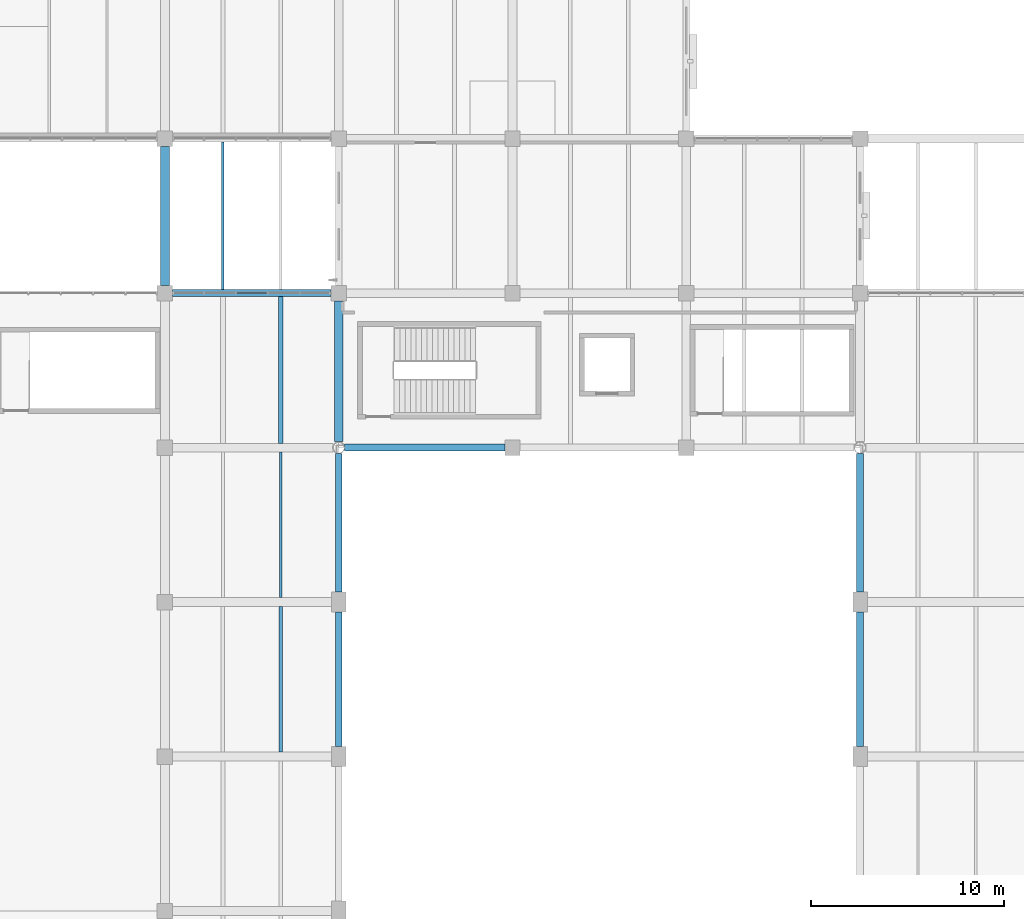
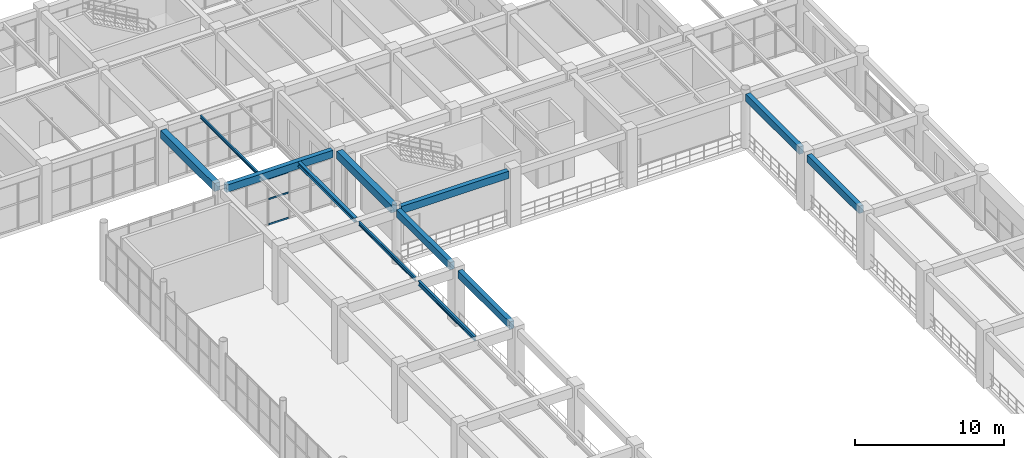
# One storey, part 76 of 178: 12 beams, 3 members, 1 element without a shape of its own.
"""IFC4 building model written with IfcOpenShell, lengths in metres."""

from ifc_helpers import new_model, si_unit, derived_unit, direction, frame, origin, origin_2d, place, context, subcontext, project, spatial, rectangle, hollow_rectangle, i_section, extrude, material, material_profile, profile_set, type_object, element, aggregate, save


model = new_model("IFC4")

# Units and contexts
model_context = context("Model", 3, precision=1e-05, world=origin(), true_north=direction((0.0, 1.0)))
body_context = subcontext(model_context, "Body", "Model", "MODEL_VIEW")
ifc_project = project(units=[si_unit("LENGTHUNIT", "METRE"), si_unit("AREAUNIT", "SQUARE_METRE"), si_unit("VOLUMEUNIT", "CUBIC_METRE"), si_unit("PLANEANGLEUNIT", "RADIAN"), si_unit("MASSUNIT", "GRAM", prefix="KILO"), derived_unit("THERMALTRANSMITTANCEUNIT", [(si_unit("MASSUNIT", "GRAM", prefix="KILO"), 1), (si_unit("TIMEUNIT", "SECOND"), -3), (si_unit("THERMODYNAMICTEMPERATUREUNIT", "KELVIN"), -1)])], contexts=[model_context])

# Site, building, storey
site_placement = place(None, origin())
site = spatial("IfcSite", under=ifc_project, at=site_placement, CompositionType="ELEMENT")
building_placement = place(site_placement, origin())
building = spatial("IfcBuilding", under=site, at=building_placement, Name="Zhenchuan Archway Interchange", CompositionType="ELEMENT")
storey_placement = place(building_placement, frame((0.0, 0.0, 5.39990234375)))
storey = spatial("IfcBuildingStorey", under=building, at=storey_placement, Name="L01", CompositionType="ELEMENT", Elevation=5.39990234375)

# Beams
ifc_material_1 = material(Name="Concrete C40", Category="concrete")
ifc_material_profile_1 = material_profile(ifc_material_1, rectangle(XDim=0.449951171875, YDim=0.64990234375, at=origin_2d()), Name="RC 450x650")
ifc_profile_set_1 = profile_set([ifc_material_profile_1], Name="Concrete C40")
beam_type_1 = type_object("IfcBeamType", Name="BM_RC_450x650", PredefinedType="BEAM", material=ifc_profile_set_1)
beam_1_placement = place(storey_placement, frame((27.0, 88.39990234375, 4.18505859375), z_axis=(0.0, 1.0, 0.0), x_axis=(-1.0, 0.0, 0.0)))
element("IfcBeam", 1, at=beam_1_placement, inside=storey, type_object=beam_type_1, Name="Beam 4:M-N (L01)", PredefinedType="BEAM", context=body_context, shape_type="SweptSolid", body=[
    extrude(rectangle(XDim=0.449951171875, YDim=0.64990234375, at=origin_2d()), origin(), (0.0, 0.0, 1.0), 7.2001953125),
])
beam_2_placement = place(storey_placement, frame((36.0, 80.304931640625, 4.18505859375), z_axis=(0.0, 1.0, 0.0), x_axis=(-1.0, 0.0, 0.0)))
element("IfcBeam", 2, at=beam_2_placement, inside=storey, type_object=beam_type_1, Name="Beam 5:L-M (L01)", PredefinedType="BEAM", context=body_context, shape_type="SweptSolid", body=[
    extrude(rectangle(XDim=0.449951171875, YDim=0.64990234375, at=origin_2d()), origin(), (0.0, 0.0, 1.0), 7.295166015625),
])

# Curtain wall, members
ifc_material_2 = material(Name="Anodised Aluminium", Category="aluminium")
curtain_wall_type = type_object("IfcCurtainWallType", Name="CW_UNIT_3", PredefinedType="NOTDEFINED", material=ifc_material_2)
curtain_wall_placement = place(storey_placement, origin())
curtain_wall = element("IfcCurtainWall", 3, at=curtain_wall_placement, inside=storey, type_object=curtain_wall_type, Name="Unitised curtain wall CW:L01:038", PredefinedType="NOTDEFINED")
ifc_material_profile_2 = material_profile(ifc_material_2, hollow_rectangle(XDim=0.06005859375, YDim=0.139892578125, WallThickness=0.00341796875, InnerFilletRadius=0.00341796875, OuterFilletRadius=0.007080078125, at=origin_2d()), Name="ALU 140x60x3.5")
ifc_profile_set_2 = profile_set([ifc_material_profile_2], Name="Anodised Aluminium")
member_type = type_object("IfcMemberType", Name="CW_TRN_140", PredefinedType="USERDEFINED", material=ifc_profile_set_2)
member_1_placement = place(storey_placement, frame((30.733642578125, 88.0, 0.06005859375), z_axis=(1.0, 0.0, 0.0), x_axis=(0.0, 1.0, 0.0)))
member_1 = element("IfcMember", 4, at=member_1_placement, type_object=member_type, Name="CW:L01:038 transom 2-1", ObjectType="TRANSOM", PredefinedType="USERDEFINED", context=body_context, shape_type="SweptSolid", body=[
    extrude(hollow_rectangle(XDim=0.06005859375, YDim=0.139892578125, WallThickness=0.00341796875, InnerFilletRadius=0.00341796875, OuterFilletRadius=0.007080078125, at=origin_2d()), origin(), (0.0, 0.0, 1.0), 1.53271484375),
])
member_2_placement = place(storey_placement, frame((30.733642578125, 88.0, 2.123046875), z_axis=(1.0, 0.0, 0.0), x_axis=(0.0, 1.0, 0.0)))
member_2 = element("IfcMember", 5, at=member_2_placement, type_object=member_type, Name="CW:L01:038 transom 2-2", ObjectType="TRANSOM", PredefinedType="USERDEFINED", context=body_context, shape_type="SweptSolid", body=[
    extrude(hollow_rectangle(XDim=0.06005859375, YDim=0.139892578125, WallThickness=0.00341796875, InnerFilletRadius=0.00341796875, OuterFilletRadius=0.007080078125, at=origin_2d()), origin(), (0.0, 0.0, 1.0), 1.53271484375),
])
member_3_placement = place(storey_placement, frame((30.733642578125, 88.0, 3.800048828125), z_axis=(1.0, 0.0, 0.0), x_axis=(0.0, 1.0, 0.0)))
member_3 = element("IfcMember", 6, at=member_3_placement, type_object=member_type, Name="CW:L01:038 transom 2-3", ObjectType="TRANSOM", PredefinedType="USERDEFINED", context=body_context, shape_type="SweptSolid", body=[
    extrude(hollow_rectangle(XDim=0.06005859375, YDim=0.139892578125, WallThickness=0.00341796875, InnerFilletRadius=0.00341796875, OuterFilletRadius=0.007080078125, at=origin_2d()), origin(), (0.0, 0.0, 1.0), 1.53271484375),
])
aggregate(curtain_wall, [member_1, member_2, member_3])

# Beams
ifc_material_3 = material(Name="Steel Q355", Category="steel")
ifc_material_profile_3 = material_profile(ifc_material_3, i_section(OverallWidth=0.25, OverallDepth=0.340087890625, WebThickness=0.009033203125, FlangeThickness=0.013916015625, FilletRadius=0.01806640625, at=origin_2d()), Name="HM 340x250")
ifc_profile_set_3 = profile_set([ifc_material_profile_3], Name="Steel Q355")
beam_type_2 = type_object("IfcBeamType", Name="JST_STL_HM340", PredefinedType="JOIST", material=ifc_profile_set_3)
beam_3_placement = place(storey_placement, frame((33.0, 80.22509765625, 4.340087890625), z_axis=(0.0, 1.0, 0.0), x_axis=(-1.0, 0.0, 0.0)))
element("IfcBeam", 7, at=beam_3_placement, inside=storey, type_object=beam_type_2, Name="Secondary joist 4-5/L-M #2 (L01)", PredefinedType="JOIST", context=body_context, shape_type="SweptSolid", body=[
    extrude(i_section(OverallWidth=0.25, OverallDepth=0.340087890625, WebThickness=0.009033203125, FlangeThickness=0.013916015625, FilletRadius=0.01806640625, at=origin_2d()), origin(), (0.0, 0.0, 1.0), 7.599853515625),
])
ifc_material_profile_4 = material_profile(ifc_material_3, i_section(OverallWidth=0.125, OverallDepth=0.25, WebThickness=0.006103515625, FlangeThickness=0.009033203125, FilletRadius=0.011962890625, at=origin_2d()), Name="HN 250x125")
ifc_profile_set_4 = profile_set([ifc_material_profile_4], Name="Steel Q355")
beam_type_3 = type_object("IfcBeamType", Name="JST_STL_HN250", PredefinedType="JOIST", material=ifc_profile_set_4)
beam_4_placement = place(storey_placement, frame((30.0, 88.175048828125, 4.385009765625), z_axis=(0.0, 1.0, 0.0), x_axis=(-1.0, 0.0, 0.0)))
element("IfcBeam", 8, at=beam_4_placement, inside=storey, type_object=beam_type_3, Name="Secondary joist 4-5/M-N #1 (L01)", PredefinedType="JOIST", context=body_context, shape_type="SweptSolid", body=[
    extrude(i_section(OverallWidth=0.125, OverallDepth=0.25, WebThickness=0.006103515625, FlangeThickness=0.009033203125, FilletRadius=0.011962890625, at=origin_2d()), origin(), (0.0, 0.0, 1.0), 7.64990234375),
])
ifc_material_profile_5 = material_profile(ifc_material_3, i_section(OverallWidth=0.14990234375, OverallDepth=0.300048828125, WebThickness=0.006591796875, FlangeThickness=0.009033203125, FilletRadius=0.012939453125, at=origin_2d()), Name="HN 300x150")
ifc_profile_set_5 = profile_set([ifc_material_profile_5], Name="Steel Q355")
beam_type_4 = type_object("IfcBeamType", Name="JST_STL_HN300", PredefinedType="JOIST", material=ifc_profile_set_5)
beam_5_placement = place(storey_placement, frame((33.0, 72.22509765625, 4.360107421875), z_axis=(0.0, 1.0, 0.0), x_axis=(-1.0, 0.0, 0.0)))
element("IfcBeam", 9, at=beam_5_placement, inside=storey, type_object=beam_type_4, Name="Secondary joist 4-5/K-L #2 (L01)", PredefinedType="JOIST", context=body_context, shape_type="SweptSolid", body=[
    extrude(i_section(OverallWidth=0.14990234375, OverallDepth=0.300048828125, WebThickness=0.006591796875, FlangeThickness=0.009033203125, FilletRadius=0.012939453125, at=origin_2d()), origin(), (0.0, 0.0, 1.0), 7.5498046875),
])
ifc_material_profile_6 = material_profile(ifc_material_3, i_section(OverallWidth=0.175048828125, OverallDepth=0.35009765625, WebThickness=0.007080078125, FlangeThickness=0.010986328125, FilletRadius=0.013916015625, at=origin_2d()), Name="HN 350x175")
ifc_profile_set_6 = profile_set([ifc_material_profile_6], Name="Steel Q355")
beam_type_5 = type_object("IfcBeamType", Name="JST_STL_HN350", PredefinedType="JOIST", material=ifc_profile_set_6)
beam_6_placement = place(storey_placement, frame((33.0, 64.22509765625, 4.335205078125), z_axis=(0.0, 1.0, 0.0), x_axis=(-1.0, 0.0, 0.0)))
element("IfcBeam", 10, at=beam_6_placement, inside=storey, type_object=beam_type_5, Name="Secondary joist 4-5/J-K #2 (L01)", PredefinedType="JOIST", context=body_context, shape_type="SweptSolid", body=[
    extrude(i_section(OverallWidth=0.175048828125, OverallDepth=0.35009765625, WebThickness=0.007080078125, FlangeThickness=0.010986328125, FilletRadius=0.013916015625, at=origin_2d()), origin(), (0.0, 0.0, 1.0), 7.5498046875),
])
ifc_material_profile_7 = material_profile(ifc_material_1, rectangle(XDim=0.35009765625, YDim=0.60009765625, at=origin_2d()), Name="RC 350x600")
ifc_profile_set_7 = profile_set([ifc_material_profile_7], Name="Concrete C40")
beam_type_6 = type_object("IfcBeamType", Name="SP_RC_350x600", PredefinedType="SPANDREL", material=ifc_profile_set_7)
beam_7_placement = place(storey_placement, frame((36.304931640625, 80.0, 4.210205078125), z_axis=(1.0, 0.0, 0.0), x_axis=(0.0, 1.0, 0.0)))
element("IfcBeam", 11, at=beam_7_placement, inside=storey, type_object=beam_type_6, Name="Beam L:5-6 (L01)", PredefinedType="SPANDREL", context=body_context, shape_type="SweptSolid", body=[
    extrude(rectangle(XDim=0.35009765625, YDim=0.60009765625, at=origin_2d()), origin(), (0.0, 0.0, 1.0), 8.295166015625),
])
beam_8_placement = place(storey_placement, frame((27.39990234375, 88.0, 4.210205078125), z_axis=(1.0, 0.0, 0.0), x_axis=(0.0, 1.0, 0.0)))
element("IfcBeam", 12, at=beam_8_placement, inside=storey, type_object=beam_type_6, Name="Beam M:4-5 (L01)", PredefinedType="SPANDREL", context=body_context, shape_type="SweptSolid", body=[
    extrude(rectangle(XDim=0.35009765625, YDim=0.60009765625, at=origin_2d()), origin(), (0.0, 0.0, 1.0), 8.2001953125),
])
beam_9_placement = place(storey_placement, frame((36.0, 64.52490234375, 4.210205078125), z_axis=(0.0, 1.0, 0.0), x_axis=(-1.0, 0.0, 0.0)))
element("IfcBeam", 13, at=beam_9_placement, inside=storey, type_object=beam_type_6, Name="Beam 5:J-K (L01)", PredefinedType="SPANDREL", context=body_context, shape_type="SweptSolid", body=[
    extrude(rectangle(XDim=0.35009765625, YDim=0.60009765625, at=origin_2d()), origin(), (0.0, 0.0, 1.0), 6.9501953125),
])
beam_10_placement = place(storey_placement, frame((36.0, 72.52490234375, 4.210205078125), z_axis=(0.0, 1.0, 0.0), x_axis=(-1.0, 0.0, 0.0)))
element("IfcBeam", 14, at=beam_10_placement, inside=storey, type_object=beam_type_6, Name="Beam 5:K-L (L01)", PredefinedType="SPANDREL", context=body_context, shape_type="SweptSolid", body=[
    extrude(rectangle(XDim=0.35009765625, YDim=0.60009765625, at=origin_2d()), origin(), (0.0, 0.0, 1.0), 7.170166015625),
])
beam_11_placement = place(storey_placement, frame((63.0, 64.52490234375, 4.210205078125), z_axis=(0.0, 1.0, 0.0), x_axis=(-1.0, 0.0, 0.0)))
element("IfcBeam", 15, at=beam_11_placement, inside=storey, type_object=beam_type_6, Name="Beam 8:J-K (L01)", PredefinedType="SPANDREL", context=body_context, shape_type="SweptSolid", body=[
    extrude(rectangle(XDim=0.35009765625, YDim=0.60009765625, at=origin_2d()), origin(), (0.0, 0.0, 1.0), 6.9501953125),
])
beam_12_placement = place(storey_placement, frame((63.0, 72.52490234375, 4.210205078125), z_axis=(0.0, 1.0, 0.0), x_axis=(-1.0, 0.0, 0.0)))
element("IfcBeam", 16, at=beam_12_placement, inside=storey, type_object=beam_type_6, Name="Beam 8:K-L (L01)", PredefinedType="SPANDREL", context=body_context, shape_type="SweptSolid", body=[
    extrude(rectangle(XDim=0.35009765625, YDim=0.60009765625, at=origin_2d()), origin(), (0.0, 0.0, 1.0), 7.170166015625),
])

save(model, "model.ifc")
